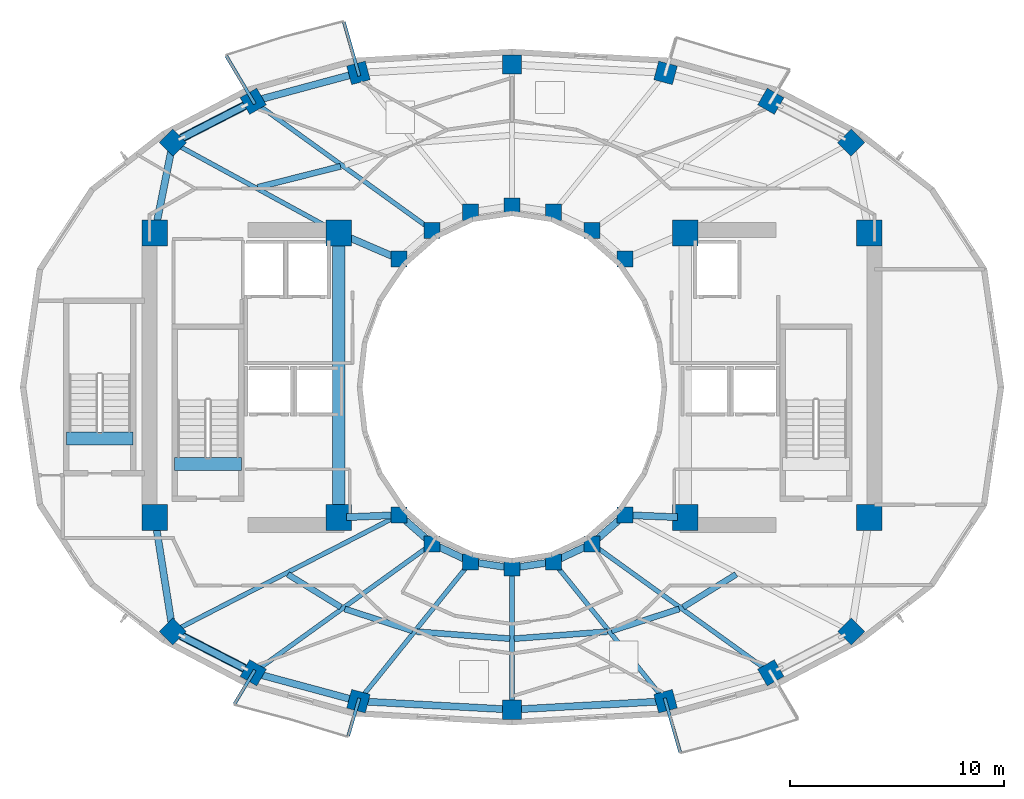
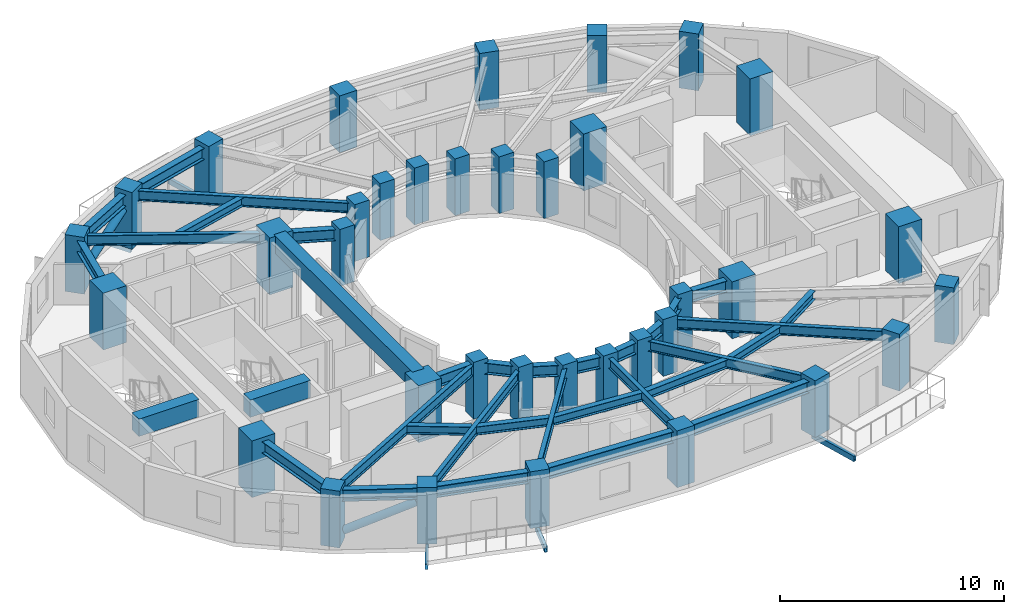
# One storey, part 1 of 10: 40 beams, 36 columns, 2 members.
"""IFC4 building model written with IfcOpenShell, lengths in metres."""

from ifc_helpers import new_model, si_unit, direction, frame, origin, origin_2d, place, context, subcontext, project, spatial, rectangle, hollow_rectangle, hollow_circle, i_section, extrude, material, material_profile, profile_set, type_object, element, save


model = new_model("IFC4")

# Units and contexts
model_context = context("Model", 3, precision=1e-05, world=origin(), true_north=direction((0.0, 1.0)))
body_context = subcontext(model_context, "Body", "Model", "MODEL_VIEW")
ifc_project = project(units=[si_unit("LENGTHUNIT", "METRE"), si_unit("AREAUNIT", "SQUARE_METRE"), si_unit("VOLUMEUNIT", "CUBIC_METRE"), si_unit("PLANEANGLEUNIT", "RADIAN"), si_unit("MASSUNIT", "GRAM", prefix="KILO")], contexts=[model_context])

# Site, building, storey
site_placement = place(None, origin())
site = spatial("IfcSite", under=ifc_project, at=site_placement, CompositionType="ELEMENT")
building_placement = place(site_placement, origin())
building = spatial("IfcBuilding", under=site, at=building_placement, Name="Solvane Sanctuary Tower", CompositionType="ELEMENT")
storey_placement = place(building_placement, frame((0.0, 0.0, 165.300048828125)))
storey = spatial("IfcBuildingStorey", under=building, at=storey_placement, Name="L50", CompositionType="ELEMENT", Elevation=165.300048828125)

# Columns
ifc_material_1 = material(Name="Concrete C50/60", Category="concrete")
ifc_material_profile_1 = material_profile(ifc_material_1, rectangle(XDim=0.75, YDim=0.75, at=origin_2d()), Name="RC750X750")
ifc_profile_set_1 = profile_set([ifc_material_profile_1], Name="Concrete C50/60")
column_type_1 = type_object("IfcColumnType", Name="Column C-RING-Z3 RC750X750", PredefinedType="COLUMN", material=ifc_profile_set_1)
for number, where, z_axis, x_axis, name in (
    (1, (37.27490234375, 28.982177734375, 0.0), (0.0, 0.0, 1.0), (1.0, 0.0, 0.0), "L50 Inner Light-Well Ring Column IC01"),
    (2, (35.72998046875, 30.32666015625, 0.0), (0.0, 0.0, 1.0), (1.0, 0.0, 0.0), "L50 Inner Light-Well Ring Column IC02"),
    (3, (33.930908203125, 31.171630859375, 0.0), (0.0, 0.0, 1.0), (1.0, 0.0, 0.0), "L50 Inner Light-Well Ring Column IC03"),
    (4, (32.0, 31.4599609375, 0.0), (0.0, 0.0, 1.0), (1.0, 0.0, 0.0), "L50 Inner Light-Well Ring Column IC04"),
    (5, (30.069091796875, 31.171630859375, 0.0), (0.0, 0.0, 1.0), (1.0, 0.0, 0.0), "L50 Inner Light-Well Ring Column IC05"),
    (6, (28.27001953125, 30.32666015625, 0.0), (0.0, 0.0, 1.0), (1.0, 0.0, 0.0), "L50 Inner Light-Well Ring Column IC06"),
    (7, (26.72509765625, 28.982177734375, 0.0), (0.0, 0.0, 1.0), (1.0, 0.0, 0.0), "L50 Inner Light-Well Ring Column IC07"),
    (8, (26.72509765625, 17.017822265625, 0.0), (0.0, 0.0, 1.0), (1.0, 0.0, 0.0), "L50 Inner Light-Well Ring Column IC08"),
    (9, (28.27001953125, 15.67333984375, 0.0), (0.0, 0.0, 1.0), (1.0, 0.0, 0.0), "L50 Inner Light-Well Ring Column IC09"),
    (10, (30.069091796875, 14.828369140625, 0.0), (0.0, 0.0, 1.0), (1.0, 0.0, 0.0), "L50 Inner Light-Well Ring Column IC10"),
    (11, (32.0, 14.5400390625, 0.0), (0.0, 0.0, 1.0), (1.0, 0.0, 0.0), "L50 Inner Light-Well Ring Column IC11"),
    (12, (33.930908203125, 14.828369140625, 0.0), (0.0, 0.0, 1.0), (1.0, 0.0, 0.0), "L50 Inner Light-Well Ring Column IC12"),
    (13, (35.72998046875, 15.67333984375, 0.0), (0.0, 0.0, 1.0), (1.0, 0.0, 0.0), "L50 Inner Light-Well Ring Column IC13"),
    (14, (37.27490234375, 17.017822265625, 0.0), (0.0, 0.0, 1.0), (1.0, 0.0, 0.0), "L50 Inner Light-Well Ring Column IC14"),
):
    element("IfcColumn", number, at=place(storey_placement, frame(where, z_axis=z_axis, x_axis=x_axis)), inside=storey, type_object=column_type_1, Name=name, PredefinedType="COLUMN", context=body_context, shape_type="SweptSolid", body=[
        extrude(rectangle(XDim=0.75, YDim=0.75, at=origin_2d()), origin(), (0.0, 0.0, 1.0), 3.099853515625),
    ])
ifc_material_2 = material(Name="Concrete C70/85", Category="concrete")
ifc_material_profile_2 = material_profile(ifc_material_2, rectangle(XDim=1.199951171875, YDim=1.199951171875, at=origin_2d()), Name="RC1200X1200")
ifc_profile_set_2 = profile_set([ifc_material_profile_2], Name="Concrete C70/85")
column_type_2 = type_object("IfcColumnType", Name="Column C-TUBE-Z1 RC1200X1200", PredefinedType="COLUMN", material=ifc_profile_set_2)
for number, where, z_axis, x_axis, name in (
    (15, (15.300048828125, 16.89990234375, 0.0), (0.0, 0.0, 1.0), (1.0, 0.0, 0.0), "L50 Core Corner Column CW1"),
    (16, (23.89990234375, 16.89990234375, 0.0), (0.0, 0.0, 1.0), (1.0, 0.0, 0.0), "L50 Core Corner Column CW2"),
    (17, (23.89990234375, 30.199951171875, 0.0), (0.0, 0.0, 1.0), (1.0, 0.0, 0.0), "L50 Core Corner Column CW3"),
    (18, (15.300048828125, 30.199951171875, 0.0), (0.0, 0.0, 1.0), (1.0, 0.0, 0.0), "L50 Core Corner Column CW4"),
    (19, (40.10009765625, 16.89990234375, 0.0), (0.0, 0.0, 1.0), (1.0, 0.0, 0.0), "L50 Core Corner Column CE1"),
    (20, (48.699951171875, 16.89990234375, 0.0), (0.0, 0.0, 1.0), (1.0, 0.0, 0.0), "L50 Core Corner Column CE2"),
    (21, (48.699951171875, 30.199951171875, 0.0), (0.0, 0.0, 1.0), (1.0, 0.0, 0.0), "L50 Core Corner Column CE3"),
    (22, (40.10009765625, 30.199951171875, 0.0), (0.0, 0.0, 1.0), (1.0, 0.0, 0.0), "L50 Core Corner Column CE4"),
):
    element("IfcColumn", number, at=place(storey_placement, frame(where, z_axis=z_axis, x_axis=x_axis)), inside=storey, type_object=column_type_2, Name=name, PredefinedType="COLUMN", context=body_context, shape_type="SweptSolid", body=[
        extrude(rectangle(XDim=1.199951171875, YDim=1.199951171875, at=origin_2d()), origin(), (0.0, 0.0, 1.0), 3.099853515625),
    ])
ifc_material_3 = material(Name="Concrete C60/75", Category="concrete")
ifc_material_profile_3 = material_profile(ifc_material_3, rectangle(XDim=0.89990234375, YDim=0.89990234375, at=origin_2d()), Name="RC900X900")
ifc_profile_set_3 = profile_set([ifc_material_profile_3], Name="Concrete C60/75")
column_type_3 = type_object("IfcColumnType", Name="Column C-TUBE-Z3 RC900X900", PredefinedType="COLUMN", material=ifc_profile_set_3)
for number, where, z_axis, x_axis, name in (
    (23, (47.856689453125, 34.426513671875, 0.0), (0.0, 0.0, 1.0), (0.707106781187, 0.707106781187, 0.0), "L50 Perimeter Tube Column TC01"),
    (24, (44.09814453125, 36.359375, 0.0), (0.0, 0.0, 1.0), (0.5, 0.866025403784, 0.0), "L50 Perimeter Tube Column TC02"),
    (25, (39.17822265625, 37.686767578125, 0.0), (0.0, 0.0, 1.0), (0.258819045103, 0.965925826289, 0.0), "L50 Perimeter Tube Column TC03"),
    (26, (32.0, 38.080078125, 0.0), (0.0, 0.0, 1.0), (0.0, 1.0, 0.0), "L50 Perimeter Tube Column TC04"),
    (27, (24.82177734375, 37.686767578125, 0.0), (0.0, 0.0, 1.0), (-0.258819045103, 0.965925826289, 0.0), "L50 Perimeter Tube Column TC05"),
    (28, (19.90185546875, 36.359375, 0.0), (0.0, 0.0, 1.0), (-0.5, 0.866025403784, 0.0), "L50 Perimeter Tube Column TC06"),
    (29, (16.143310546875, 34.426513671875, 0.0), (0.0, 0.0, 1.0), (-0.707106781187, 0.707106781187, 0.0), "L50 Perimeter Tube Column TC07"),
    (30, (16.143310546875, 11.573486328125, 0.0), (0.0, 0.0, 1.0), (-0.707106781187, -0.707106781187, 0.0), "L50 Perimeter Tube Column TC08"),
    (31, (19.90185546875, 9.640625, 0.0), (0.0, 0.0, 1.0), (-0.5, -0.866025403784, 0.0), "L50 Perimeter Tube Column TC09"),
    (32, (24.82177734375, 8.313232421875, 0.0), (0.0, 0.0, 1.0), (-0.258819045103, -0.965925826289, 0.0), "L50 Perimeter Tube Column TC10"),
    (33, (32.0, 7.919921875, 0.0), (0.0, 0.0, 1.0), (0.0, -1.0, 0.0), "L50 Perimeter Tube Column TC11"),
    (34, (39.17822265625, 8.313232421875, 0.0), (0.0, 0.0, 1.0), (0.258819045103, -0.965925826289, 0.0), "L50 Perimeter Tube Column TC12"),
    (35, (44.09814453125, 9.640625, 0.0), (0.0, 0.0, 1.0), (0.5, -0.866025403784, 0.0), "L50 Perimeter Tube Column TC13"),
    (36, (47.856689453125, 11.573486328125, 0.0), (0.0, 0.0, 1.0), (0.707106781187, -0.707106781187, 0.0), "L50 Perimeter Tube Column TC14"),
):
    element("IfcColumn", number, at=place(storey_placement, frame(where, z_axis=z_axis, x_axis=x_axis)), inside=storey, type_object=column_type_3, Name=name, PredefinedType="COLUMN", context=body_context, shape_type="SweptSolid", body=[
        extrude(rectangle(XDim=0.89990234375, YDim=0.89990234375, at=origin_2d()), origin(), (0.0, 0.0, 1.0), 3.099853515625),
    ])

# Beams
ifc_material_4 = material(Name="Steel ASTM A500 Grade C", Category="steel")
ifc_material_profile_4 = material_profile(ifc_material_4, hollow_rectangle(XDim=0.14990234375, YDim=0.300048828125, WallThickness=0.010009765625, at=origin_2d()), Name="HSS300X150X10")
ifc_profile_set_4 = profile_set([ifc_material_profile_4], Name="Steel ASTM A500 Grade C")
beam_type_1 = type_object("IfcBeamType", Name="Beam B-BALC-BRK HSS300X150X10", PredefinedType="BEAM", material=ifc_profile_set_4)
beam_1_placement = place(storey_placement, frame((24.863037109375, 37.54248046875, -0.3720703125), z_axis=(-0.275372945254, 0.961337475095, 0.0), x_axis=(-0.961337475095, -0.275372945254, 0.0)))
element("IfcBeam", 37, at=beam_1_placement, inside=storey, type_object=beam_type_1, Name="L50 Balcony Bracket N2-1", PredefinedType="BEAM", context=body_context, shape_type="SweptSolid", body=[
    extrude(hollow_rectangle(XDim=0.14990234375, YDim=0.300048828125, WallThickness=0.010009765625, at=origin_2d()), origin(), (0.0, 0.0, 1.0), 2.62158203125),
])
beam_2_placement = place(storey_placement, frame((19.978515625, 36.230224609375, -0.3720703125), z_axis=(-0.509981141169, 0.8601855821, 0.0), x_axis=(-0.8601855821, -0.509981141169, 0.0)))
element("IfcBeam", 38, at=beam_2_placement, inside=storey, type_object=beam_type_1, Name="L50 Balcony Bracket N2-2", PredefinedType="BEAM", context=body_context, shape_type="SweptSolid", body=[
    extrude(hollow_rectangle(XDim=0.14990234375, YDim=0.300048828125, WallThickness=0.010009765625, at=origin_2d()), origin(), (0.0, 0.0, 1.0), 2.62060546875),
])
beam_3_placement = place(storey_placement, frame((19.97900390625, 9.769287109375, -0.3720703125), z_axis=(-0.51428121496, -0.857621613498, 0.0), x_axis=(0.857621613498, -0.51428121496, 0.0)))
element("IfcBeam", 39, at=beam_3_placement, inside=storey, type_object=beam_type_1, Name="L50 Balcony Bracket S1-1", PredefinedType="BEAM", context=body_context, shape_type="SweptSolid", body=[
    extrude(hollow_rectangle(XDim=0.14990234375, YDim=0.300048828125, WallThickness=0.010009765625, at=origin_2d()), origin(), (0.0, 0.0, 1.0), 1.841064453125),
])
beam_4_placement = place(storey_placement, frame((24.864013671875, 8.457275390625, -0.3720703125), z_axis=(-0.282517844472, -0.959262043216, 0.0), x_axis=(0.959262043216, -0.282517844472, 0.0)))
element("IfcBeam", 40, at=beam_4_placement, inside=storey, type_object=beam_type_1, Name="L50 Balcony Bracket S1-2", PredefinedType="BEAM", context=body_context, shape_type="SweptSolid", body=[
    extrude(hollow_rectangle(XDim=0.14990234375, YDim=0.300048828125, WallThickness=0.010009765625, at=origin_2d()), origin(), (0.0, 0.0, 1.0), 1.84228515625),
])
beam_5_placement = place(storey_placement, frame((39.136962890625, 8.45751953125, -0.3720703125), z_axis=(0.275372945254, -0.961337475095, 0.0), x_axis=(0.961337475095, 0.275372945254, 0.0)))
element("IfcBeam", 41, at=beam_5_placement, inside=storey, type_object=beam_type_1, Name="L50 Balcony Bracket S2-1", PredefinedType="BEAM", context=body_context, shape_type="SweptSolid", body=[
    extrude(hollow_rectangle(XDim=0.14990234375, YDim=0.300048828125, WallThickness=0.010009765625, at=origin_2d()), origin(), (0.0, 0.0, 1.0), 2.62158203125),
])
ifc_material_profile_5 = material_profile(ifc_material_2, rectangle(XDim=0.60009765625, YDim=0.949951171875, at=origin_2d()), Name="RC600X950")
ifc_profile_set_5 = profile_set([ifc_material_profile_5], Name="Concrete C70/85")
beam_type_2 = type_object("IfcBeamType", Name="Beam B-COUPLE RC600X950", PredefinedType="LINTEL", material=ifc_profile_set_5)
beam_6_placement = place(storey_placement, frame((23.89990234375, 17.35009765625, 2.625), z_axis=(0.0, 1.0, 0.0), x_axis=(-1.0, 0.0, 0.0)))
element("IfcBeam", 42, at=beam_6_placement, inside=storey, type_object=beam_type_2, Name="L50 West Core Coupling Lintel", PredefinedType="LINTEL", context=body_context, shape_type="SweptSolid", body=[
    extrude(rectangle(XDim=0.60009765625, YDim=0.949951171875, at=origin_2d()), origin(), (0.0, 0.0, 1.0), 12.39990234375),
])
for number, where, z_axis, x_axis, name in (
    (43, (16.22998046875, 19.399169921875, 2.625), (1.0, 0.0, 0.0), (0.0, 1.0, 0.0), "L50 ST-1 Stair Floor Landing Trimmer"),
    (44, (11.169921875, 20.59912109375, 2.625), (1.0, 0.0, 0.0), (0.0, 1.0, 0.0), "L50 ST-3 Stair Floor Landing Trimmer"),
):
    element("IfcBeam", number, at=place(storey_placement, frame(where, z_axis=z_axis, x_axis=x_axis)), inside=storey, type_object=beam_type_2, Name=name, PredefinedType="LINTEL", context=body_context, shape_type="SweptSolid", body=[
        extrude(rectangle(XDim=0.60009765625, YDim=0.949951171875, at=origin_2d()), origin(), (0.0, 0.0, 1.0), 3.1201171875),
    ])
ifc_material_5 = material(Name="Steel ASTM A992 Grade 50", Category="steel")
ifc_material_profile_6 = material_profile(ifc_material_5, i_section(OverallWidth=0.214111328125, OverallDepth=0.549072265625, WebThickness=0.0146484375, FlangeThickness=0.023681640625, FilletRadius=0.014892578125, at=origin_2d()), Name="W21X93")
ifc_profile_set_6 = profile_set([ifc_material_profile_6], Name="Steel ASTM A992 Grade 50")
beam_type_3 = type_object("IfcBeamType", Name="Beam B-RAD-Z3 W21X93", PredefinedType="JOIST", material=ifc_profile_set_6)
beam_7_placement = place(storey_placement, frame((28.04296875, 30.490234375, 2.603515625), z_axis=(-0.811184384633, 0.584790470277, 0.0), x_axis=(-0.584790470277, -0.811184384633, 0.0)))
element("IfcBeam", 45, at=beam_7_placement, inside=storey, type_object=beam_type_3, Name="L50 Radial Composite Floor Beam 06", PredefinedType="JOIST", context=body_context, shape_type="SweptSolid", body=[
    extrude(i_section(OverallWidth=0.214111328125, OverallDepth=0.549072265625, WebThickness=0.0146484375, FlangeThickness=0.023681640625, FilletRadius=0.014892578125, at=origin_2d()), origin(), (0.0, 0.0, 1.0), 9.756103515625),
])
beam_8_placement = place(storey_placement, frame((23.583984375, 30.372314453125, 2.603515625), z_axis=(-0.878108435277, 0.478461676516, 0.0), x_axis=(-0.478461676516, -0.878108435277, 0.0)))
element("IfcBeam", 46, at=beam_8_placement, inside=storey, type_object=beam_type_3, Name="L50 Radial Composite Floor Beam 07", PredefinedType="JOIST", context=body_context, shape_type="SweptSolid", body=[
    extrude(i_section(OverallWidth=0.214111328125, OverallDepth=0.549072265625, WebThickness=0.0146484375, FlangeThickness=0.023681640625, FilletRadius=0.014892578125, at=origin_2d()), origin(), (0.0, 0.0, 1.0), 8.193359375),
])
beam_9_placement = place(storey_placement, frame((26.47607421875, 16.889892578125, 2.603515625), z_axis=(-0.889204980299, -0.457509019595, 0.0), x_axis=(0.457509019595, -0.889204980299, 0.0)))
element("IfcBeam", 47, at=beam_9_placement, inside=storey, type_object=beam_type_3, Name="L50 Radial Composite Floor Beam 08", PredefinedType="JOIST", context=body_context, shape_type="SweptSolid", body=[
    extrude(i_section(OverallWidth=0.214111328125, OverallDepth=0.549072265625, WebThickness=0.0146484375, FlangeThickness=0.023681640625, FilletRadius=0.014892578125, at=origin_2d()), origin(), (0.0, 0.0, 1.0), 11.340087890625),
])
beam_10_placement = place(storey_placement, frame((28.04296875, 15.509765625, 2.603515625), z_axis=(-0.811184384633, -0.584790470277, 0.0), x_axis=(0.584790470277, -0.811184384633, 0.0)))
element("IfcBeam", 48, at=beam_10_placement, inside=storey, type_object=beam_type_3, Name="L50 Radial Composite Floor Beam 09", PredefinedType="JOIST", context=body_context, shape_type="SweptSolid", body=[
    extrude(i_section(OverallWidth=0.214111328125, OverallDepth=0.549072265625, WebThickness=0.0146484375, FlangeThickness=0.023681640625, FilletRadius=0.014892578125, at=origin_2d()), origin(), (0.0, 0.0, 1.0), 9.756103515625),
])
beam_11_placement = place(storey_placement, frame((29.8935546875, 14.610107421875, 2.603515625), z_axis=(-0.627296867999, -0.778780225352, 0.0), x_axis=(0.778780225352, -0.627296867999, 0.0)))
element("IfcBeam", 49, at=beam_11_placement, inside=storey, type_object=beam_type_3, Name="L50 Radial Composite Floor Beam 10", PredefinedType="JOIST", context=body_context, shape_type="SweptSolid", body=[
    extrude(i_section(OverallWidth=0.214111328125, OverallDepth=0.549072265625, WebThickness=0.0146484375, FlangeThickness=0.023681640625, FilletRadius=0.014892578125, at=origin_2d()), origin(), (0.0, 0.0, 1.0), 7.805419921875),
])
beam_12_placement = place(storey_placement, frame((32.0, 14.260009765625, 2.603515625), z_axis=(0.0, -1.0, 0.0), x_axis=(1.0, 0.0, 0.0)))
element("IfcBeam", 50, at=beam_12_placement, inside=storey, type_object=beam_type_3, Name="L50 Radial Composite Floor Beam 11", PredefinedType="JOIST", context=body_context, shape_type="SweptSolid", body=[
    extrude(i_section(OverallWidth=0.214111328125, OverallDepth=0.549072265625, WebThickness=0.0146484375, FlangeThickness=0.023681640625, FilletRadius=0.014892578125, at=origin_2d()), origin(), (0.0, 0.0, 1.0), 6.06005859375),
])
beam_13_placement = place(storey_placement, frame((34.1064453125, 14.610107421875, 2.603515625), z_axis=(0.627296867999, -0.778780225352, 0.0), x_axis=(0.778780225352, 0.627296867999, 0.0)))
element("IfcBeam", 51, at=beam_13_placement, inside=storey, type_object=beam_type_3, Name="L50 Radial Composite Floor Beam 12", PredefinedType="JOIST", context=body_context, shape_type="SweptSolid", body=[
    extrude(i_section(OverallWidth=0.214111328125, OverallDepth=0.549072265625, WebThickness=0.0146484375, FlangeThickness=0.023681640625, FilletRadius=0.014892578125, at=origin_2d()), origin(), (0.0, 0.0, 1.0), 7.805419921875),
])
beam_14_placement = place(storey_placement, frame((35.95703125, 15.509765625, 2.603515625), z_axis=(0.811184384633, -0.584790470277, 0.0), x_axis=(0.584790470277, 0.811184384633, 0.0)))
element("IfcBeam", 52, at=beam_14_placement, inside=storey, type_object=beam_type_3, Name="L50 Radial Composite Floor Beam 13", PredefinedType="JOIST", context=body_context, shape_type="SweptSolid", body=[
    extrude(i_section(OverallWidth=0.214111328125, OverallDepth=0.549072265625, WebThickness=0.0146484375, FlangeThickness=0.023681640625, FilletRadius=0.014892578125, at=origin_2d()), origin(), (0.0, 0.0, 1.0), 9.756103515625),
])
ifc_material_profile_7 = material_profile(ifc_material_5, i_section(OverallWidth=0.324951171875, OverallDepth=0.615966796875, WebThickness=0.013916015625, FlangeThickness=0.021484375, FilletRadius=0.01611328125, at=origin_2d()), Name="W24X117")
ifc_profile_set_7 = profile_set([ifc_material_profile_7], Name="Steel ASTM A992 Grade 50")
beam_type_4 = type_object("IfcBeamType", Name="Beam B-RING-IN2 W24X117", PredefinedType="BEAM", material=ifc_profile_set_7)
beam_15_placement = place(storey_placement, frame((24.230712890625, 30.0576171875, 2.570068359375), z_axis=(0.918264067649, -0.395968561966, 0.0), x_axis=(0.395968561966, 0.918264067649, 0.0)))
element("IfcBeam", 53, at=beam_15_placement, inside=storey, type_object=beam_type_4, Name="L50 Inner Light-Well Ring Beam CW3-IC07", PredefinedType="BEAM", context=body_context, shape_type="SweptSolid", body=[
    extrude(i_section(OverallWidth=0.324951171875, OverallDepth=0.615966796875, WebThickness=0.013916015625, FlangeThickness=0.021484375, FilletRadius=0.01611328125, at=origin_2d()), origin(), (0.0, 0.0, 1.0), 2.371337890625),
])
beam_16_placement = place(storey_placement, frame((24.259765625, 16.9150390625, 2.570068359375), z_axis=(0.999132674336, 0.041640113759, 0.0), x_axis=(-0.041640113759, 0.999132674336, 0.0)))
element("IfcBeam", 54, at=beam_16_placement, inside=storey, type_object=beam_type_4, Name="L50 Inner Light-Well Ring Beam CW2-IC08", PredefinedType="BEAM", context=body_context, shape_type="SweptSolid", body=[
    extrude(i_section(OverallWidth=0.324951171875, OverallDepth=0.615966796875, WebThickness=0.013916015625, FlangeThickness=0.021484375, FilletRadius=0.01611328125, at=origin_2d()), origin(), (0.0, 0.0, 1.0), 2.12255859375),
])
beam_17_placement = place(storey_placement, frame((26.9853515625, 16.79150390625, 2.570068359375), z_axis=(0.754311313851, -0.656516901379, 0.0), x_axis=(0.656516901379, 0.754311313851, 0.0)))
element("IfcBeam", 55, at=beam_17_placement, inside=storey, type_object=beam_type_4, Name="L50 Inner Light-Well Ring Beam IC08-IC09", PredefinedType="BEAM", context=body_context, shape_type="SweptSolid", body=[
    extrude(i_section(OverallWidth=0.324951171875, OverallDepth=0.615966796875, WebThickness=0.013916015625, FlangeThickness=0.021484375, FilletRadius=0.01611328125, at=origin_2d()), origin(), (0.0, 0.0, 1.0), 1.358154296875),
])
beam_18_placement = place(storey_placement, frame((28.582275390625, 15.526611328125, 2.570068359375), z_axis=(0.9051808128, -0.425026700502, 0.0), x_axis=(0.425026700502, 0.9051808128, 0.0)))
element("IfcBeam", 56, at=beam_18_placement, inside=storey, type_object=beam_type_4, Name="L50 Inner Light-Well Ring Beam IC09-IC10", PredefinedType="BEAM", context=body_context, shape_type="SweptSolid", body=[
    extrude(i_section(OverallWidth=0.324951171875, OverallDepth=0.615966796875, WebThickness=0.013916015625, FlangeThickness=0.021484375, FilletRadius=0.01611328125, at=origin_2d()), origin(), (0.0, 0.0, 1.0), 1.297607421875),
])
for number, where, z_axis, x_axis, name in (
    (57, (30.410400390625, 14.77734375, 2.570068359375), (0.989019905763, -0.147782360259, 0.0), (0.147782360259, 0.989019905763, 0.0), "L50 Inner Light-Well Ring Beam IC10-IC11"),
    (58, (32.34130859375, 14.5908203125, 2.570068359375), (0.989019905763, 0.147782360259, 0.0), (-0.147782360259, 0.989019905763, 0.0), "L50 Inner Light-Well Ring Beam IC11-IC12"),
):
    element("IfcBeam", number, at=place(storey_placement, frame(where, z_axis=z_axis, x_axis=x_axis)), inside=storey, type_object=beam_type_4, Name=name, PredefinedType="BEAM", context=body_context, shape_type="SweptSolid", body=[
        extrude(i_section(OverallWidth=0.324951171875, OverallDepth=0.615966796875, WebThickness=0.013916015625, FlangeThickness=0.021484375, FilletRadius=0.01611328125, at=origin_2d()), origin(), (0.0, 0.0, 1.0), 1.26220703125),
    ])
beam_19_placement = place(storey_placement, frame((34.2431640625, 14.97509765625, 2.570068359375), z_axis=(0.9051808128, 0.425026700502, 0.0), x_axis=(-0.425026700502, 0.9051808128, 0.0)))
element("IfcBeam", 59, at=beam_19_placement, inside=storey, type_object=beam_type_4, Name="L50 Inner Light-Well Ring Beam IC12-IC13", PredefinedType="BEAM", context=body_context, shape_type="SweptSolid", body=[
    extrude(i_section(OverallWidth=0.324951171875, OverallDepth=0.615966796875, WebThickness=0.013916015625, FlangeThickness=0.021484375, FilletRadius=0.01611328125, at=origin_2d()), origin(), (0.0, 0.0, 1.0), 1.297607421875),
])
beam_20_placement = place(storey_placement, frame((35.990234375, 15.89990234375, 2.570068359375), z_axis=(0.754311313851, 0.656516901379, 0.0), x_axis=(-0.656516901379, 0.754311313851, 0.0)))
element("IfcBeam", 60, at=beam_20_placement, inside=storey, type_object=beam_type_4, Name="L50 Inner Light-Well Ring Beam IC13-IC14", PredefinedType="BEAM", context=body_context, shape_type="SweptSolid", body=[
    extrude(i_section(OverallWidth=0.324951171875, OverallDepth=0.615966796875, WebThickness=0.013916015625, FlangeThickness=0.021484375, FilletRadius=0.01611328125, at=origin_2d()), origin(), (0.0, 0.0, 1.0), 1.358154296875),
])
beam_21_placement = place(storey_placement, frame((37.61962890625, 17.00341796875, 2.570068359375), z_axis=(0.999132674336, -0.041640113759, 0.0), x_axis=(0.041640113759, 0.999132674336, 0.0)))
element("IfcBeam", 61, at=beam_21_placement, inside=storey, type_object=beam_type_4, Name="L50 Inner Light-Well Ring Beam IC14-CE1", PredefinedType="BEAM", context=body_context, shape_type="SweptSolid", body=[
    extrude(i_section(OverallWidth=0.324951171875, OverallDepth=0.615966796875, WebThickness=0.013916015625, FlangeThickness=0.021484375, FilletRadius=0.01611328125, at=origin_2d()), origin(), (0.0, 0.0, 1.0), 2.12255859375),
])
ifc_material_profile_8 = material_profile(ifc_material_5, i_section(OverallWidth=0.280029296875, OverallDepth=0.462890625, WebThickness=0.0107421875, FlangeThickness=0.017333984375, FilletRadius=0.013916015625, at=origin_2d()), Name="W18X76")
ifc_profile_set_8 = profile_set([ifc_material_profile_8], Name="Steel ASTM A992 Grade 50")
beam_type_5 = type_object("IfcBeamType", Name="Beam B-SEC-JOIST W18X76", PredefinedType="JOIST", material=ifc_profile_set_8)
beam_22_placement = place(storey_placement, frame((20.12060546875, 32.33837890625, 2.646484375), z_axis=(0.969378020231, 0.245573316737, 0.0), x_axis=(-0.245573316737, 0.969378020231, 0.0)))
element("IfcBeam", 62, at=beam_22_placement, inside=storey, type_object=beam_type_5, Name="L50 Secondary Circumferential Joist 07-06", PredefinedType="JOIST", context=body_context, shape_type="SweptSolid", body=[
    extrude(i_section(OverallWidth=0.280029296875, OverallDepth=0.462890625, WebThickness=0.0107421875, FlangeThickness=0.017333984375, FilletRadius=0.013916015625, at=origin_2d()), origin(), (0.0, 0.0, 1.0), 3.988525390625),
])
beam_23_placement = place(storey_placement, frame((21.52099609375, 14.2421875, 2.646484375), z_axis=(0.850675655701, -0.525690906139, 0.0), x_axis=(0.525690906139, 0.850675655701, 0.0)))
element("IfcBeam", 63, at=beam_23_placement, inside=storey, type_object=beam_type_5, Name="L50 Secondary Circumferential Joist 08-09", PredefinedType="JOIST", context=body_context, shape_type="SweptSolid", body=[
    extrude(i_section(OverallWidth=0.280029296875, OverallDepth=0.462890625, WebThickness=0.0107421875, FlangeThickness=0.017333984375, FilletRadius=0.013916015625, at=origin_2d()), origin(), (0.0, 0.0, 1.0), 2.913330078125),
])
beam_24_placement = place(storey_placement, frame((24.18310546875, 12.625732421875, 2.646484375), z_axis=(0.951499502658, -0.307650282695, 0.0), x_axis=(0.307650282695, 0.951499502658, 0.0)))
element("IfcBeam", 64, at=beam_24_placement, inside=storey, type_object=beam_type_5, Name="L50 Secondary Circumferential Joist 09-10", PredefinedType="JOIST", context=body_context, shape_type="SweptSolid", body=[
    extrude(i_section(OverallWidth=0.280029296875, OverallDepth=0.462890625, WebThickness=0.0107421875, FlangeThickness=0.017333984375, FilletRadius=0.013916015625, at=origin_2d()), origin(), (0.0, 0.0, 1.0), 3.32666015625),
])
for number, where, z_axis, x_axis, name in (
    (65, (27.547119140625, 11.563232421875, 2.646484375), (0.99721035762, -0.074642498994, 0.0), (0.074642498994, 0.99721035762, 0.0), "L50 Secondary Circumferential Joist 10-11"),
    (66, (32.101806640625, 11.237548828125, 2.646484375), (0.99721035762, 0.074642498994, 0.0), (-0.074642498994, 0.99721035762, 0.0), "L50 Secondary Circumferential Joist 11-12"),
):
    element("IfcBeam", number, at=place(storey_placement, frame(where, z_axis=z_axis, x_axis=x_axis)), inside=storey, type_object=beam_type_5, Name=name, PredefinedType="JOIST", context=body_context, shape_type="SweptSolid", body=[
        extrude(i_section(OverallWidth=0.280029296875, OverallDepth=0.462890625, WebThickness=0.0107421875, FlangeThickness=0.017333984375, FilletRadius=0.013916015625, at=origin_2d()), origin(), (0.0, 0.0, 1.0), 4.36328125),
    ])
beam_25_placement = place(storey_placement, frame((36.651611328125, 11.602294921875, 2.646484375), z_axis=(0.951499502658, 0.307650282695, 0.0), x_axis=(-0.307650282695, 0.951499502658, 0.0)))
element("IfcBeam", 67, at=beam_25_placement, inside=storey, type_object=beam_type_5, Name="L50 Secondary Circumferential Joist 12-13", PredefinedType="JOIST", context=body_context, shape_type="SweptSolid", body=[
    extrude(i_section(OverallWidth=0.280029296875, OverallDepth=0.462890625, WebThickness=0.0107421875, FlangeThickness=0.017333984375, FilletRadius=0.013916015625, at=origin_2d()), origin(), (0.0, 0.0, 1.0), 3.32666015625),
])
beam_26_placement = place(storey_placement, frame((40.0009765625, 12.710693359375, 2.646484375), z_axis=(0.850652494422, 0.525728383991, 0.0), x_axis=(-0.525728383991, 0.850652494422, 0.0)))
element("IfcBeam", 68, at=beam_26_placement, inside=storey, type_object=beam_type_5, Name="L50 Secondary Circumferential Joist 13-14", PredefinedType="JOIST", context=body_context, shape_type="SweptSolid", body=[
    extrude(i_section(OverallWidth=0.280029296875, OverallDepth=0.462890625, WebThickness=0.0107421875, FlangeThickness=0.017333984375, FilletRadius=0.013916015625, at=origin_2d()), origin(), (0.0, 0.0, 1.0), 2.9130859375),
])
ifc_material_profile_9 = material_profile(ifc_material_5, i_section(OverallWidth=0.327880859375, OverallDepth=0.6279296875, WebThickness=0.0166015625, FlangeThickness=0.027587890625, FilletRadius=0.01611328125, at=origin_2d()), Name="W24X146")
ifc_profile_set_9 = profile_set([ifc_material_profile_9], Name="Steel ASTM A992 Grade 50")
beam_type_6 = type_object("IfcBeamType", Name="Beam B-SPAND-Z3 W24X146", PredefinedType="SPANDREL", material=ifc_profile_set_9)
beam_27_placement = place(storey_placement, frame((15.354736328125, 30.474609375, 2.56396484375), z_axis=(0.195715452505, 0.980660727087, 0.0), x_axis=(-0.980660727087, 0.195715452505, 0.0)))
element("IfcBeam", 69, at=beam_27_placement, inside=storey, type_object=beam_type_6, Name="L50 Perimeter Spandrel Beam CW4-TC07", PredefinedType="SPANDREL", context=body_context, shape_type="SweptSolid", body=[
    extrude(i_section(OverallWidth=0.327880859375, OverallDepth=0.6279296875, WebThickness=0.0166015625, FlangeThickness=0.027587890625, FilletRadius=0.01611328125, at=origin_2d()), origin(), (0.0, 0.0, 1.0), 3.749755859375),
])
beam_28_placement = place(storey_placement, frame((16.392333984375, 34.554443359375, 2.56396484375), z_axis=(0.889295540094, 0.457332966632, 0.0), x_axis=(-0.457332966632, 0.889295540094, 0.0)))
element("IfcBeam", 70, at=beam_28_placement, inside=storey, type_object=beam_type_6, Name="L50 Perimeter Spandrel Beam TC07-TC06", PredefinedType="SPANDREL", context=body_context, shape_type="SweptSolid", body=[
    extrude(i_section(OverallWidth=0.327880859375, OverallDepth=0.6279296875, WebThickness=0.0166015625, FlangeThickness=0.027587890625, FilletRadius=0.01611328125, at=origin_2d()), origin(), (0.0, 0.0, 1.0), 3.66650390625),
])
beam_29_placement = place(storey_placement, frame((20.172119140625, 36.43212890625, 2.56396484375), z_axis=(0.965473224565, 0.260502308334, 0.0), x_axis=(-0.260502308334, 0.965473224565, 0.0)))
element("IfcBeam", 71, at=beam_29_placement, inside=storey, type_object=beam_type_6, Name="L50 Perimeter Spandrel Beam TC06-TC05", PredefinedType="SPANDREL", context=body_context, shape_type="SweptSolid", body=[
    extrude(i_section(OverallWidth=0.327880859375, OverallDepth=0.6279296875, WebThickness=0.0166015625, FlangeThickness=0.027587890625, FilletRadius=0.01611328125, at=origin_2d()), origin(), (0.0, 0.0, 1.0), 4.535888671875),
])
beam_30_placement = place(storey_placement, frame((15.34375, 16.623291015625, 2.56396484375), z_axis=(0.156406167317, -0.987692822099, 0.0), x_axis=(0.987692822099, 0.156406167317, 0.0)))
element("IfcBeam", 72, at=beam_30_placement, inside=storey, type_object=beam_type_6, Name="L50 Perimeter Spandrel Beam CW1-TC08", PredefinedType="SPANDREL", context=body_context, shape_type="SweptSolid", body=[
    extrude(i_section(OverallWidth=0.327880859375, OverallDepth=0.6279296875, WebThickness=0.0166015625, FlangeThickness=0.027587890625, FilletRadius=0.01611328125, at=origin_2d()), origin(), (0.0, 0.0, 1.0), 4.832763671875),
])
beam_31_placement = place(storey_placement, frame((16.392333984375, 11.445556640625, 2.56396484375), z_axis=(0.889295540094, -0.457332966632, 0.0), x_axis=(0.457332966632, 0.889295540094, 0.0)))
element("IfcBeam", 73, at=beam_31_placement, inside=storey, type_object=beam_type_6, Name="L50 Perimeter Spandrel Beam TC08-TC09", PredefinedType="SPANDREL", context=body_context, shape_type="SweptSolid", body=[
    extrude(i_section(OverallWidth=0.327880859375, OverallDepth=0.6279296875, WebThickness=0.0166015625, FlangeThickness=0.027587890625, FilletRadius=0.01611328125, at=origin_2d()), origin(), (0.0, 0.0, 1.0), 3.66650390625),
])
beam_32_placement = place(storey_placement, frame((20.172119140625, 9.56787109375, 2.56396484375), z_axis=(0.965473224565, -0.260502308334, 0.0), x_axis=(0.260502308334, 0.965473224565, 0.0)))
element("IfcBeam", 74, at=beam_32_placement, inside=storey, type_object=beam_type_6, Name="L50 Perimeter Spandrel Beam TC09-TC10", PredefinedType="SPANDREL", context=body_context, shape_type="SweptSolid", body=[
    extrude(i_section(OverallWidth=0.327880859375, OverallDepth=0.6279296875, WebThickness=0.0166015625, FlangeThickness=0.027587890625, FilletRadius=0.01611328125, at=origin_2d()), origin(), (0.0, 0.0, 1.0), 4.535888671875),
])
for number, where, z_axis, x_axis, name in (
    (75, (25.101318359375, 8.298095703125, 2.56396484375), (0.998501325362, -0.054727536496, 0.0), (0.054727536496, 0.998501325362, 0.0), "L50 Perimeter Spandrel Beam TC10-TC11"),
    (76, (32.279541015625, 7.935302734375, 2.56396484375), (0.998501325362, 0.054727536496, 0.0), (-0.054727536496, 0.998501325362, 0.0), "L50 Perimeter Spandrel Beam TC11-TC12"),
):
    element("IfcBeam", number, at=place(storey_placement, frame(where, z_axis=z_axis, x_axis=x_axis)), inside=storey, type_object=beam_type_6, Name=name, PredefinedType="SPANDREL", context=body_context, shape_type="SweptSolid", body=[
        extrude(i_section(OverallWidth=0.327880859375, OverallDepth=0.6279296875, WebThickness=0.0166015625, FlangeThickness=0.027587890625, FilletRadius=0.01611328125, at=origin_2d()), origin(), (0.0, 0.0, 1.0), 6.629150390625),
    ])

# Members
ifc_material_profile_10 = material_profile(ifc_material_5, hollow_circle(Radius=0.202880859375, WallThickness=0.012451171875, at=origin_2d()), Name="CHS406X12.5")
ifc_profile_set_10 = profile_set([ifc_material_profile_10], Name="Steel ASTM A992 Grade 50")
member_type = type_object("IfcMemberType", Name="Member M-TUBE-Z3 CHS406X12.5", PredefinedType="BRACE", material=ifc_profile_set_10)
for number, where, z_axis, x_axis, name in (
    (77, (16.57177734375, 34.646728515625, 0.593017578125), (0.813229340921, 0.418236115998, 0.404643782036), (-0.457351371069, 0.889286075108, 0.0), "L50 Perimeter Braced-Tube Diagonal NW"),
    (78, (16.57177734375, 11.353271484375, 0.593017578125), (0.813229340921, -0.418236115998, 0.404643782036), (0.457351371069, 0.889286075108, 0.0), "L50 Perimeter Braced-Tube Diagonal SW"),
):
    element("IfcMember", number, at=place(storey_placement, frame(where, z_axis=z_axis, x_axis=x_axis)), inside=storey, type_object=member_type, Name=name, PredefinedType="BRACE", context=body_context, shape_type="SweptSolid", body=[
        extrude(hollow_circle(Radius=0.202880859375, WallThickness=0.012451171875, at=origin_2d()), origin(), (0.0, 0.0, 1.0), 3.59228515625),
    ])

save(model, "model.ifc")
